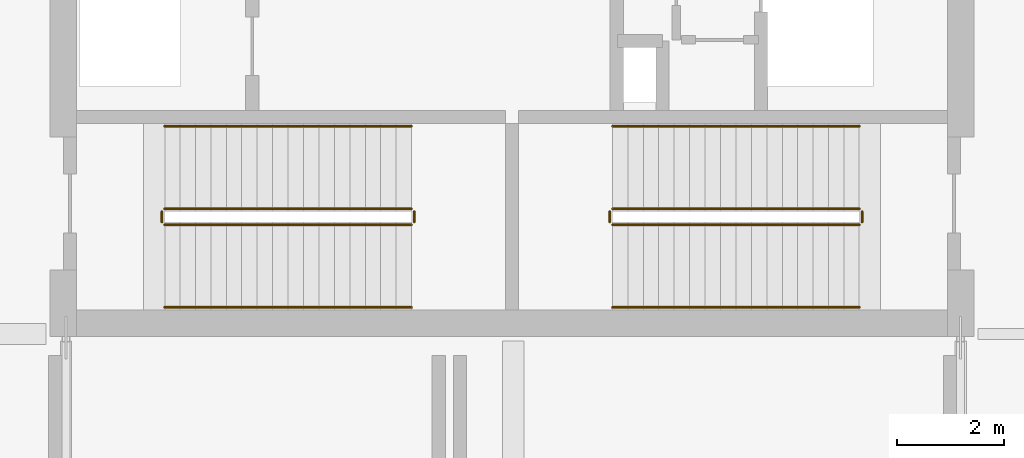
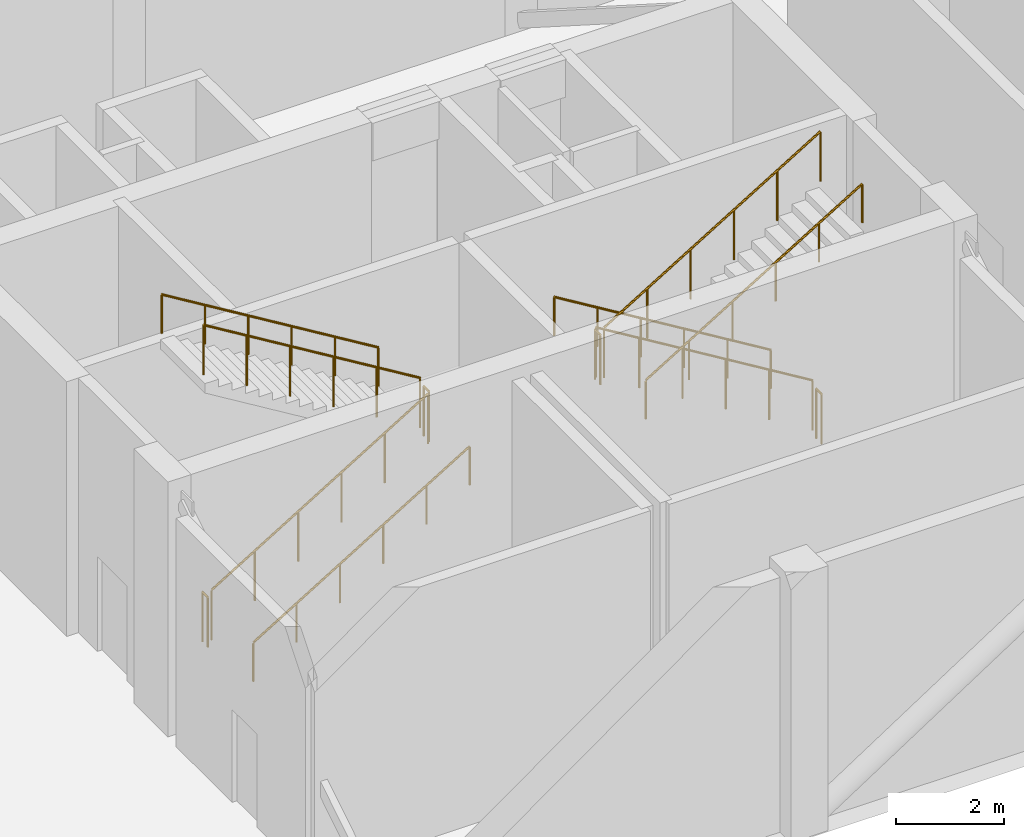
# One storey, part 13 of 14: 12 railings.
"""IFC4 building model written with IfcOpenShell, lengths in metres."""

from ifc_helpers import new_model, si_unit, direction, frame, origin, origin_2d, place, context, subcontext, project, spatial, circle, extrude, material, type_object, element, save


model = new_model("IFC4")

# Units and contexts
model_context = context("Model", 3, precision=1e-05, world=origin(), true_north=direction((0.0, 1.0)))
body_context = subcontext(model_context, "Body", "Model", "MODEL_VIEW")
ifc_project = project(units=[si_unit("LENGTHUNIT", "METRE"), si_unit("AREAUNIT", "SQUARE_METRE"), si_unit("VOLUMEUNIT", "CUBIC_METRE"), si_unit("PLANEANGLEUNIT", "RADIAN"), si_unit("MASSUNIT", "GRAM", prefix="KILO")], contexts=[model_context])

# Site, building, storey
site_placement = place(None, origin())
site = spatial("IfcSite", under=ifc_project, at=site_placement, CompositionType="ELEMENT")
building_placement = place(site_placement, origin())
building = spatial("IfcBuilding", under=site, at=building_placement, Name="Koriwani Terraces Tower", CompositionType="ELEMENT")
storey_placement = place(building_placement, frame((0.0, 0.0, 294.800048828125)))
storey = spatial("IfcBuildingStorey", under=building, at=storey_placement, Name="L73", CompositionType="ELEMENT", Elevation=294.800048828125)

# Railings
ifc_material = material(Name="Steel ASTM A572 Grade 50", Category="steel")
railing_type_1 = type_object("IfcRailingType", Name="GUARD_STAIR_WELL_1120", PredefinedType="GUARDRAIL", material=ifc_material)
railing_1_placement = place(storey_placement, frame((43.85009765625, 18.85009765625, 0.176513671875)))
element("IfcRailing", 1, at=railing_1_placement, inside=storey, type_object=railing_type_1, Name="L73 ST-E1 stair guard 1", PredefinedType="GUARDRAIL", context=body_context, shape_type="SweptSolid", body=[
    extrude(circle(Radius=0.02392578125, at=origin_2d()), frame((0.0, 0.0, 1.1259765625), z_axis=(0.854263648073, 0.0, 0.51983999421), x_axis=(0.0, 1.0, 0.0)), (0.0, 0.0, 1.0), 5.431396484375),
    extrude(circle(Radius=0.02099609375, at=origin_2d()), origin(), (0.0, 0.0, 1.0), 1.101806640625),
    extrude(circle(Radius=0.02099609375, at=origin_2d()), frame((0.927978515625, 0.0, 0.564697265625)), (0.0, 0.0, 1.0), 1.101806640625),
    extrude(circle(Radius=0.02099609375, at=origin_2d()), frame((1.85595703125, 0.0, 1.12939453125)), (0.0, 0.0, 1.0), 1.101806640625),
    extrude(circle(Radius=0.02099609375, at=origin_2d()), frame((2.783935546875, 0.0, 1.694091796875)), (0.0, 0.0, 1.0), 1.101806640625),
    extrude(circle(Radius=0.02099609375, at=origin_2d()), frame((3.7119140625, 0.0, 2.2587890625)), (0.0, 0.0, 1.0), 1.101806640625),
    extrude(circle(Radius=0.02099609375, at=origin_2d()), frame((4.639892578125, 0.0, 2.823486328125)), (0.0, 0.0, 1.0), 1.101806640625),
])
railing_2_placement = place(storey_placement, frame((48.5400390625, 18.89990234375, 3.0)))
element("IfcRailing", 2, at=railing_2_placement, inside=storey, type_object=railing_type_1, Name="L73 ST-E1 stair guard 2", PredefinedType="GUARDRAIL", context=body_context, shape_type="SweptSolid", body=[
    extrude(circle(Radius=0.02392578125, at=origin_2d()), frame((0.0, 0.0, 1.1259765625), z_axis=(0.0, 1.0, 0.0), x_axis=(-1.0, 0.0, 0.0)), (0.0, 0.0, 1.0), 0.2001953125),
    extrude(circle(Radius=0.02099609375, at=origin_2d()), origin(), (0.0, 0.0, 1.0), 1.101806640625),
    extrude(circle(Radius=0.02099609375, at=origin_2d()), frame((0.0, 0.2001953125, 0.0)), (0.0, 0.0, 1.0), 1.101806640625),
])
railing_3_placement = place(storey_placement, frame((48.489990234375, 19.14990234375, 3.176513671875)))
element("IfcRailing", 3, at=railing_3_placement, inside=storey, type_object=railing_type_1, Name="L73 ST-E1 stair guard 3", PredefinedType="GUARDRAIL", context=body_context, shape_type="SweptSolid", body=[
    extrude(circle(Radius=0.02392578125, at=origin_2d()), frame((0.0, 0.0, 1.1259765625), z_axis=(-0.854263648073, 0.0, 0.51983999421), x_axis=(0.0, -1.0, 0.0)), (0.0, 0.0, 1.0), 5.431396484375),
    extrude(circle(Radius=0.02099609375, at=origin_2d()), origin(), (0.0, 0.0, 1.0), 1.101806640625),
    extrude(circle(Radius=0.02099609375, at=origin_2d()), frame((-0.927978515625, 0.0, 0.564697265625)), (0.0, 0.0, 1.0), 1.101806640625),
    extrude(circle(Radius=0.02099609375, at=origin_2d()), frame((-1.85595703125, 0.0, 1.12939453125)), (0.0, 0.0, 1.0), 1.101806640625),
    extrude(circle(Radius=0.02099609375, at=origin_2d()), frame((-2.783935546875, 0.0, 1.694091796875)), (0.0, 0.0, 1.0), 1.101806640625),
    extrude(circle(Radius=0.02099609375, at=origin_2d()), frame((-3.7119140625, 0.0, 2.2587890625)), (0.0, 0.0, 1.0), 1.101806640625),
    extrude(circle(Radius=0.02099609375, at=origin_2d()), frame((-4.639892578125, 0.0, 2.823486328125)), (0.0, 0.0, 1.0), 1.101806640625),
])
railing_4_placement = place(storey_placement, frame((43.800048828125, 18.89990234375, 0.0)))
element("IfcRailing", 4, at=railing_4_placement, inside=storey, type_object=railing_type_1, Name="L73 ST-E1 stair guard 4", PredefinedType="GUARDRAIL", context=body_context, shape_type="SweptSolid", body=[
    extrude(circle(Radius=0.02392578125, at=origin_2d()), frame((0.0, 0.0, 1.1259765625), z_axis=(0.0, 1.0, 0.0), x_axis=(-1.0, 0.0, 0.0)), (0.0, 0.0, 1.0), 0.2001953125),
    extrude(circle(Radius=0.02099609375, at=origin_2d()), origin(), (0.0, 0.0, 1.0), 1.101806640625),
    extrude(circle(Radius=0.02099609375, at=origin_2d()), frame((0.0, 0.2001953125, 0.0)), (0.0, 0.0, 1.0), 1.101806640625),
])
railing_5_placement = place(storey_placement, frame((56.89990234375, 19.14990234375, 0.176513671875)))
element("IfcRailing", 5, at=railing_5_placement, inside=storey, type_object=railing_type_1, Name="L73 ST-E2 stair guard 1", PredefinedType="GUARDRAIL", context=body_context, shape_type="SweptSolid", body=[
    extrude(circle(Radius=0.02392578125, at=origin_2d()), frame((0.0, 0.0, 1.1259765625), z_axis=(-0.854263648073, 0.0, 0.51983999421), x_axis=(0.0, -1.0, 0.0)), (0.0, 0.0, 1.0), 5.431396484375),
    extrude(circle(Radius=0.02099609375, at=origin_2d()), origin(), (0.0, 0.0, 1.0), 1.101806640625),
    extrude(circle(Radius=0.02099609375, at=origin_2d()), frame((-0.927978515625, 0.0, 0.564697265625)), (0.0, 0.0, 1.0), 1.101806640625),
    extrude(circle(Radius=0.02099609375, at=origin_2d()), frame((-1.85595703125, 0.0, 1.12939453125)), (0.0, 0.0, 1.0), 1.101806640625),
    extrude(circle(Radius=0.02099609375, at=origin_2d()), frame((-2.783935546875, 0.0, 1.694091796875)), (0.0, 0.0, 1.0), 1.101806640625),
    extrude(circle(Radius=0.02099609375, at=origin_2d()), frame((-3.7119140625, 0.0, 2.2587890625)), (0.0, 0.0, 1.0), 1.101806640625),
    extrude(circle(Radius=0.02099609375, at=origin_2d()), frame((-4.639892578125, 0.0, 2.823486328125)), (0.0, 0.0, 1.0), 1.101806640625),
])
railing_6_placement = place(storey_placement, frame((52.2099609375, 19.10009765625, 3.0)))
element("IfcRailing", 6, at=railing_6_placement, inside=storey, type_object=railing_type_1, Name="L73 ST-E2 stair guard 2", PredefinedType="GUARDRAIL", context=body_context, shape_type="SweptSolid", body=[
    extrude(circle(Radius=0.02392578125, at=origin_2d()), frame((0.0, 0.0, 1.1259765625), z_axis=(0.0, -1.0, 0.0), x_axis=(1.0, 0.0, 0.0)), (0.0, 0.0, 1.0), 0.2001953125),
    extrude(circle(Radius=0.02099609375, at=origin_2d()), origin(), (0.0, 0.0, 1.0), 1.101806640625),
    extrude(circle(Radius=0.02099609375, at=origin_2d()), frame((0.0, -0.2001953125, 0.0)), (0.0, 0.0, 1.0), 1.101806640625),
])
railing_7_placement = place(storey_placement, frame((52.260009765625, 18.85009765625, 3.176513671875)))
element("IfcRailing", 7, at=railing_7_placement, inside=storey, type_object=railing_type_1, Name="L73 ST-E2 stair guard 3", PredefinedType="GUARDRAIL", context=body_context, shape_type="SweptSolid", body=[
    extrude(circle(Radius=0.02392578125, at=origin_2d()), frame((0.0, 0.0, 1.1259765625), z_axis=(0.854263648073, 0.0, 0.51983999421), x_axis=(0.0, 1.0, 0.0)), (0.0, 0.0, 1.0), 5.431396484375),
    extrude(circle(Radius=0.02099609375, at=origin_2d()), origin(), (0.0, 0.0, 1.0), 1.101806640625),
    extrude(circle(Radius=0.02099609375, at=origin_2d()), frame((0.927978515625, 0.0, 0.564697265625)), (0.0, 0.0, 1.0), 1.101806640625),
    extrude(circle(Radius=0.02099609375, at=origin_2d()), frame((1.85595703125, 0.0, 1.12939453125)), (0.0, 0.0, 1.0), 1.101806640625),
    extrude(circle(Radius=0.02099609375, at=origin_2d()), frame((2.783935546875, 0.0, 1.694091796875)), (0.0, 0.0, 1.0), 1.101806640625),
    extrude(circle(Radius=0.02099609375, at=origin_2d()), frame((3.7119140625, 0.0, 2.2587890625)), (0.0, 0.0, 1.0), 1.101806640625),
    extrude(circle(Radius=0.02099609375, at=origin_2d()), frame((4.639892578125, 0.0, 2.823486328125)), (0.0, 0.0, 1.0), 1.101806640625),
])
railing_8_placement = place(storey_placement, frame((56.949951171875, 19.10009765625, 0.0)))
element("IfcRailing", 8, at=railing_8_placement, inside=storey, type_object=railing_type_1, Name="L73 ST-E2 stair guard 4", PredefinedType="GUARDRAIL", context=body_context, shape_type="SweptSolid", body=[
    extrude(circle(Radius=0.02392578125, at=origin_2d()), frame((0.0, 0.0, 1.1259765625), z_axis=(0.0, -1.0, 0.0), x_axis=(1.0, 0.0, 0.0)), (0.0, 0.0, 1.0), 0.2001953125),
    extrude(circle(Radius=0.02099609375, at=origin_2d()), origin(), (0.0, 0.0, 1.0), 1.101806640625),
    extrude(circle(Radius=0.02099609375, at=origin_2d()), frame((0.0, -0.2001953125, 0.0)), (0.0, 0.0, 1.0), 1.101806640625),
])
railing_type_2 = type_object("IfcRailingType", Name="HANDRAIL_STAIR_920", PredefinedType="HANDRAIL", material=ifc_material)
railing_9_placement = place(storey_placement, frame((43.85009765625, 17.300048828125, 0.176513671875)))
element("IfcRailing", 9, at=railing_9_placement, inside=storey, type_object=railing_type_2, Name="L73 ST-E1 stair handrail 1", PredefinedType="HANDRAIL", context=body_context, shape_type="SweptSolid", body=[
    extrude(circle(Radius=0.02392578125, at=origin_2d()), frame((0.0, 0.0, 0.8759765625), z_axis=(0.854263648073, 0.0, 0.51983999421), x_axis=(0.0, 1.0, 0.0)), (0.0, 0.0, 1.0), 5.431396484375),
    extrude(circle(Radius=0.02099609375, at=origin_2d()), origin(), (0.0, 0.0, 1.0), 0.851806640625),
    extrude(circle(Radius=0.02099609375, at=origin_2d()), frame((0.927978515625, 0.0, 0.564697265625)), (0.0, 0.0, 1.0), 0.851806640625),
    extrude(circle(Radius=0.02099609375, at=origin_2d()), frame((1.85595703125, 0.0, 1.12939453125)), (0.0, 0.0, 1.0), 0.851806640625),
    extrude(circle(Radius=0.02099609375, at=origin_2d()), frame((2.783935546875, 0.0, 1.694091796875)), (0.0, 0.0, 1.0), 0.851806640625),
    extrude(circle(Radius=0.02099609375, at=origin_2d()), frame((3.7119140625, 0.0, 2.2587890625)), (0.0, 0.0, 1.0), 0.851806640625),
    extrude(circle(Radius=0.02099609375, at=origin_2d()), frame((4.639892578125, 0.0, 2.823486328125)), (0.0, 0.0, 1.0), 0.851806640625),
])
for number, where, name in (
    (10, (48.489990234375, 20.699951171875, 3.176513671875), "L73 ST-E1 stair handrail 2"),
    (11, (56.89990234375, 20.699951171875, 0.176513671875), "L73 ST-E2 stair handrail 1"),
):
    element("IfcRailing", number, at=place(storey_placement, frame(where)), inside=storey, type_object=railing_type_2, Name=name, PredefinedType="HANDRAIL", context=body_context, shape_type="SweptSolid", body=[
        extrude(circle(Radius=0.02392578125, at=origin_2d()), frame((0.0, 0.0, 0.8759765625), z_axis=(-0.854263648073, 0.0, 0.51983999421), x_axis=(0.0, -1.0, 0.0)), (0.0, 0.0, 1.0), 5.431396484375),
        extrude(circle(Radius=0.02099609375, at=origin_2d()), origin(), (0.0, 0.0, 1.0), 0.851806640625),
        extrude(circle(Radius=0.02099609375, at=origin_2d()), frame((-0.927978515625, 0.0, 0.564697265625)), (0.0, 0.0, 1.0), 0.851806640625),
        extrude(circle(Radius=0.02099609375, at=origin_2d()), frame((-1.85595703125, 0.0, 1.12939453125)), (0.0, 0.0, 1.0), 0.851806640625),
        extrude(circle(Radius=0.02099609375, at=origin_2d()), frame((-2.783935546875, 0.0, 1.694091796875)), (0.0, 0.0, 1.0), 0.851806640625),
        extrude(circle(Radius=0.02099609375, at=origin_2d()), frame((-3.7119140625, 0.0, 2.2587890625)), (0.0, 0.0, 1.0), 0.851806640625),
        extrude(circle(Radius=0.02099609375, at=origin_2d()), frame((-4.639892578125, 0.0, 2.823486328125)), (0.0, 0.0, 1.0), 0.851806640625),
    ])
railing_10_placement = place(storey_placement, frame((52.260009765625, 17.300048828125, 3.176513671875)))
element("IfcRailing", 12, at=railing_10_placement, inside=storey, type_object=railing_type_2, Name="L73 ST-E2 stair handrail 2", PredefinedType="HANDRAIL", context=body_context, shape_type="SweptSolid", body=[
    extrude(circle(Radius=0.02392578125, at=origin_2d()), frame((0.0, 0.0, 0.8759765625), z_axis=(0.854263648073, 0.0, 0.51983999421), x_axis=(0.0, 1.0, 0.0)), (0.0, 0.0, 1.0), 5.431396484375),
    extrude(circle(Radius=0.02099609375, at=origin_2d()), origin(), (0.0, 0.0, 1.0), 0.851806640625),
    extrude(circle(Radius=0.02099609375, at=origin_2d()), frame((0.927978515625, 0.0, 0.564697265625)), (0.0, 0.0, 1.0), 0.851806640625),
    extrude(circle(Radius=0.02099609375, at=origin_2d()), frame((1.85595703125, 0.0, 1.12939453125)), (0.0, 0.0, 1.0), 0.851806640625),
    extrude(circle(Radius=0.02099609375, at=origin_2d()), frame((2.783935546875, 0.0, 1.694091796875)), (0.0, 0.0, 1.0), 0.851806640625),
    extrude(circle(Radius=0.02099609375, at=origin_2d()), frame((3.7119140625, 0.0, 2.2587890625)), (0.0, 0.0, 1.0), 0.851806640625),
    extrude(circle(Radius=0.02099609375, at=origin_2d()), frame((4.639892578125, 0.0, 2.823486328125)), (0.0, 0.0, 1.0), 0.851806640625),
])

save(model, "model.ifc")
